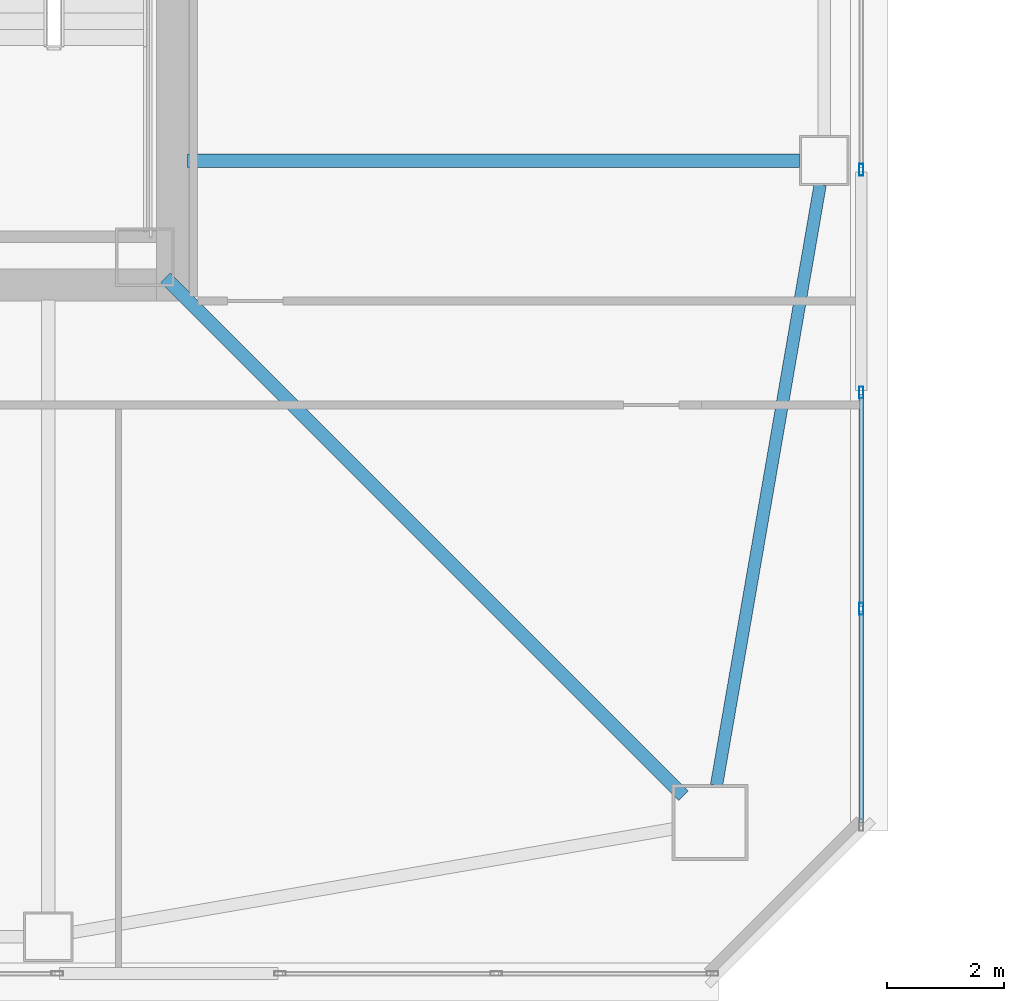
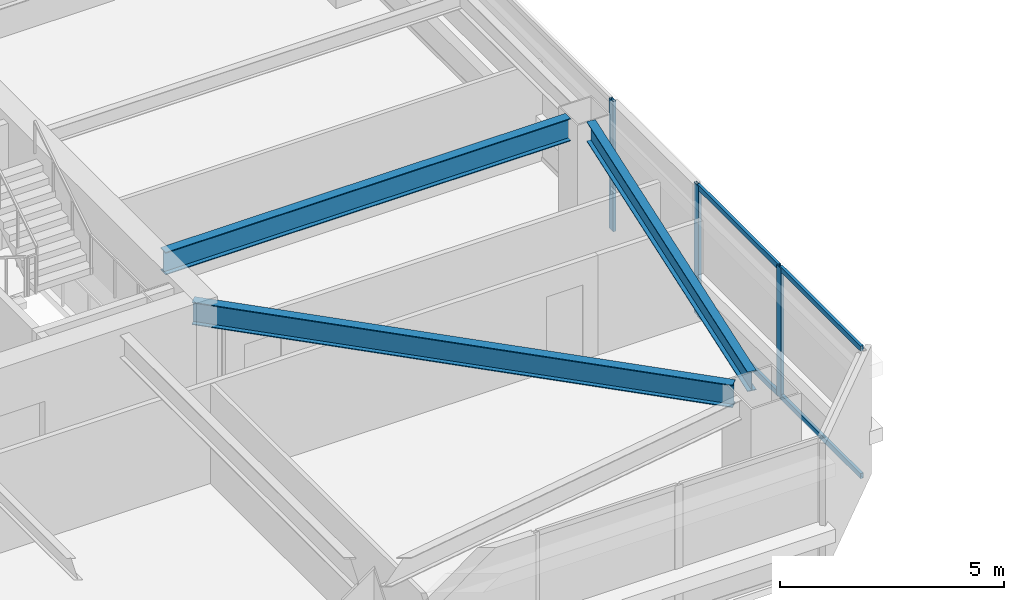
# One storey, part 8 of 46: 7 members, 3 beams, 2 elements without a shape of their own.
"""IFC4 building model written with IfcOpenShell, lengths in metres."""

from ifc_helpers import new_model, si_unit, direction, frame, origin, origin_2d, place, context, subcontext, project, spatial, hollow_rectangle, i_section, extrude, material, material_profile, profile_set, type_object, element, aggregate, save


model = new_model("IFC4")

# Units and contexts
model_context = context("Model", 3, precision=1e-05, world=origin(), true_north=direction((0.0, 1.0)))
body_context = subcontext(model_context, "Body", "Model", "MODEL_VIEW")
ifc_project = project(units=[si_unit("LENGTHUNIT", "METRE"), si_unit("AREAUNIT", "SQUARE_METRE"), si_unit("VOLUMEUNIT", "CUBIC_METRE"), si_unit("PLANEANGLEUNIT", "RADIAN"), si_unit("MASSUNIT", "GRAM", prefix="KILO")], contexts=[model_context])

# Site, building, storey
site_placement = place(None, origin())
site = spatial("IfcSite", under=ifc_project, at=site_placement, CompositionType="ELEMENT")
building_placement = place(site_placement, origin())
building = spatial("IfcBuilding", under=site, at=building_placement, Name="Tashvorn Skyway Center", CompositionType="ELEMENT")
storey_placement = place(building_placement, frame((0.0, 0.0, 132.14990234375)))
storey = spatial("IfcBuildingStorey", under=building, at=storey_placement, Name="L35", CompositionType="ELEMENT", Elevation=132.14990234375)

# Beams
ifc_material_1 = material(Name="Steel ASTM A992 Grade 50", Category="steel")
ifc_material_profile_1 = material_profile(ifc_material_1, i_section(OverallWidth=0.22998046875, OverallDepth=0.616943359375, WebThickness=0.01318359375, FlangeThickness=0.022216796875, at=origin_2d()), Name="W24X94")
ifc_profile_set_1 = profile_set([ifc_material_profile_1], Name="Steel ASTM A992 Grade 50")
beam_type_1 = type_object("IfcBeamType", Name="BM-BEAM-W24X94", PredefinedType="BEAM", material=ifc_profile_set_1)
beam_1_placement = place(storey_placement, frame((58.243896484375, 15.756103515625, 3.0615234375), z_axis=(-0.707106781187, 0.707106781187, 0.0), x_axis=(-0.707106781187, -0.707106781187, 0.0)))
element("IfcBeam", 1, at=beam_1_placement, inside=storey, type_object=beam_type_1, Name="Tower 1 L35 Primary Floor Girder MC-SE", PredefinedType="BEAM", context=body_context, shape_type="SweptSolid", body=[
    extrude(i_section(OverallWidth=0.22998046875, OverallDepth=0.616943359375, WebThickness=0.01318359375, FlangeThickness=0.022216796875, at=origin_2d()), origin(), (0.0, 0.0, 1.0), 12.50732421875),
])
beam_2_placement = place(storey_placement, frame((60.22998046875, 26.60009765625, 3.0615234375), z_axis=(-1.0, 0.0, 0.0), x_axis=(0.0, -1.0, 0.0)))
element("IfcBeam", 2, at=beam_2_placement, inside=storey, type_object=beam_type_1, Name="Tower 1 L35 Primary Floor Girder FC-E1", PredefinedType="BEAM", context=body_context, shape_type="SweptSolid", body=[
    extrude(i_section(OverallWidth=0.22998046875, OverallDepth=0.616943359375, WebThickness=0.01318359375, FlangeThickness=0.022216796875, at=origin_2d()), origin(), (0.0, 0.0, 1.0), 10.449951171875),
])
ifc_material_profile_2 = material_profile(ifc_material_1, i_section(OverallWidth=0.2109375, OverallDepth=0.5390625, WebThickness=0.01171875, FlangeThickness=0.018798828125, at=origin_2d()), Name="W21X73")
ifc_profile_set_2 = profile_set([ifc_material_profile_2], Name="Steel ASTM A992 Grade 50")
beam_type_2 = type_object("IfcBeamType", Name="BM-SPANDREL-W21X73", PredefinedType="SPANDREL", material=ifc_profile_set_2)
beam_3_placement = place(storey_placement, frame((58.8095703125, 15.935546875, 3.1005859375), z_axis=(0.170067250846, 0.985432458462, 0.0), x_axis=(-0.985432458462, 0.170067250846, 0.0)))
element("IfcBeam", 3, at=beam_3_placement, inside=storey, type_object=beam_type_2, Name="Tower 1 L35 Spandrel Beam 04", PredefinedType="SPANDREL", context=body_context, shape_type="SweptSolid", body=[
    extrude(i_section(OverallWidth=0.2109375, OverallDepth=0.5390625, WebThickness=0.01171875, FlangeThickness=0.018798828125, at=origin_2d()), origin(), (0.0, 0.0, 1.0), 10.402099609375),
])

# Curtain wall, member
ifc_material_2 = material(Name="Thermally broken bronze-anodized aluminium 6063-T6", Category="aluminium")
curtain_wall_type = type_object("IfcCurtainWallType", Name="CW-CW-Z3", PredefinedType="NOTDEFINED", material=ifc_material_2)
curtain_wall_1_placement = place(storey_placement, origin())
curtain_wall_1 = element("IfcCurtainWall", 4, at=curtain_wall_1_placement, inside=storey, type_object=curtain_wall_type, Name="Tower 1 L35 East Unitised Curtain Wall Glazing Group 2", PredefinedType="NOTDEFINED")
ifc_material_profile_3 = material_profile(ifc_material_2, hollow_rectangle(XDim=0.074951171875, YDim=0.199951171875, WallThickness=0.00439453125, at=origin_2d()), Name="ALU-MULL-75x200")
ifc_profile_set_3 = profile_set([ifc_material_profile_3], Name="Thermally broken bronze-anodized aluminium 6063-T6")
member_type_1 = type_object("IfcMemberType", Name="CWM-CW-Z3", PredefinedType="MULLION", material=ifc_profile_set_3)
member_1_placement = place(storey_placement, frame((61.280029296875, 26.444091796875, 0.0), z_axis=(0.0, 0.0, 1.0), x_axis=(1.0, 0.0, 0.0)))
member_1 = element("IfcMember", 5, at=member_1_placement, type_object=member_type_1, Name="CW-Z3 mullion 2", PredefinedType="MULLION", context=body_context, shape_type="SweptSolid", body=[
    extrude(hollow_rectangle(XDim=0.074951171875, YDim=0.199951171875, WallThickness=0.00439453125, at=origin_2d()), origin(), (0.0, 0.0, 1.0), 3.550048828125),
])
aggregate(curtain_wall_1, [member_1])

# Curtain wall, members
curtain_wall_2_placement = place(storey_placement, origin())
curtain_wall_2 = element("IfcCurtainWall", 6, at=curtain_wall_2_placement, inside=storey, type_object=curtain_wall_type, Name="Tower 1 L35 East Unitised Curtain Wall Glazing Group 3", PredefinedType="NOTDEFINED")
member_2_placement = place(storey_placement, frame((61.280029296875, 22.640380859375, 0.0), z_axis=(0.0, 0.0, 1.0), x_axis=(1.0, 0.0, 0.0)))
member_2 = element("IfcMember", 7, at=member_2_placement, type_object=member_type_1, Name="CW-Z3 mullion 1", PredefinedType="MULLION", context=body_context, shape_type="SweptSolid", body=[
    extrude(hollow_rectangle(XDim=0.074951171875, YDim=0.199951171875, WallThickness=0.00439453125, at=origin_2d()), origin(), (0.0, 0.0, 1.0), 3.550048828125),
])
member_3_placement = place(storey_placement, frame((61.280029296875, 18.948974609375, 0.0), z_axis=(0.0, 0.0, 1.0), x_axis=(1.0, 0.0, 0.0)))
member_3 = element("IfcMember", 8, at=member_3_placement, type_object=member_type_1, Name="CW-Z3 mullion 2", PredefinedType="MULLION", context=body_context, shape_type="SweptSolid", body=[
    extrude(hollow_rectangle(XDim=0.074951171875, YDim=0.199951171875, WallThickness=0.00439453125, at=origin_2d()), origin(), (0.0, 0.0, 1.0), 3.550048828125),
])
ifc_material_profile_4 = material_profile(ifc_material_2, hollow_rectangle(XDim=0.074951171875, YDim=0.139892578125, WallThickness=0.004150390625, at=origin_2d()), Name="ALU-TRAN-75x140")
ifc_profile_set_4 = profile_set([ifc_material_profile_4], Name="Thermally broken bronze-anodized aluminium 6063-T6")
member_type_2 = type_object("IfcMemberType", Name="CWT-CW-Z3", PredefinedType="USERDEFINED", material=ifc_profile_set_4)
member_4_placement = place(storey_placement, frame((61.280029296875, 22.602783203125, 0.03759765625), z_axis=(0.0, -1.0, 0.0), x_axis=(1.0, 0.0, 0.0)))
member_4 = element("IfcMember", 9, at=member_4_placement, type_object=member_type_2, Name="CW-Z3 transom 1.1", ObjectType="TRANSOM", PredefinedType="USERDEFINED", context=body_context, shape_type="SweptSolid", body=[
    extrude(hollow_rectangle(XDim=0.074951171875, YDim=0.139892578125, WallThickness=0.004150390625, at=origin_2d()), origin(), (0.0, 0.0, 1.0), 3.616455078125),
])
member_5_placement = place(storey_placement, frame((61.280029296875, 22.602783203125, 3.5126953125), z_axis=(0.0, -1.0, 0.0), x_axis=(1.0, 0.0, 0.0)))
member_5 = element("IfcMember", 10, at=member_5_placement, type_object=member_type_2, Name="CW-Z3 transom 1.2", ObjectType="TRANSOM", PredefinedType="USERDEFINED", context=body_context, shape_type="SweptSolid", body=[
    extrude(hollow_rectangle(XDim=0.074951171875, YDim=0.139892578125, WallThickness=0.004150390625, at=origin_2d()), origin(), (0.0, 0.0, 1.0), 3.616455078125),
])
member_6_placement = place(storey_placement, frame((61.280029296875, 18.911376953125, 0.03759765625), z_axis=(0.0, -1.0, 0.0), x_axis=(1.0, 0.0, 0.0)))
member_6 = element("IfcMember", 11, at=member_6_placement, type_object=member_type_2, Name="CW-Z3 transom 2.1", ObjectType="TRANSOM", PredefinedType="USERDEFINED", context=body_context, shape_type="SweptSolid", body=[
    extrude(hollow_rectangle(XDim=0.074951171875, YDim=0.139892578125, WallThickness=0.004150390625, at=origin_2d()), origin(), (0.0, 0.0, 1.0), 3.616455078125),
])
member_7_placement = place(storey_placement, frame((61.280029296875, 18.911376953125, 3.5126953125), z_axis=(0.0, -1.0, 0.0), x_axis=(1.0, 0.0, 0.0)))
member_7 = element("IfcMember", 12, at=member_7_placement, type_object=member_type_2, Name="CW-Z3 transom 2.2", ObjectType="TRANSOM", PredefinedType="USERDEFINED", context=body_context, shape_type="SweptSolid", body=[
    extrude(hollow_rectangle(XDim=0.074951171875, YDim=0.139892578125, WallThickness=0.004150390625, at=origin_2d()), origin(), (0.0, 0.0, 1.0), 3.616455078125),
])
aggregate(curtain_wall_2, [member_2, member_3, member_4, member_5, member_6, member_7])

save(model, "model.ifc")
